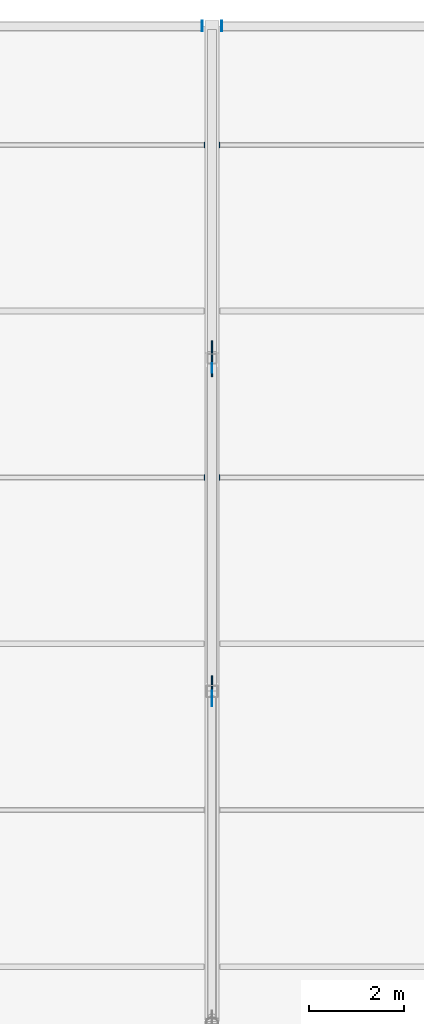
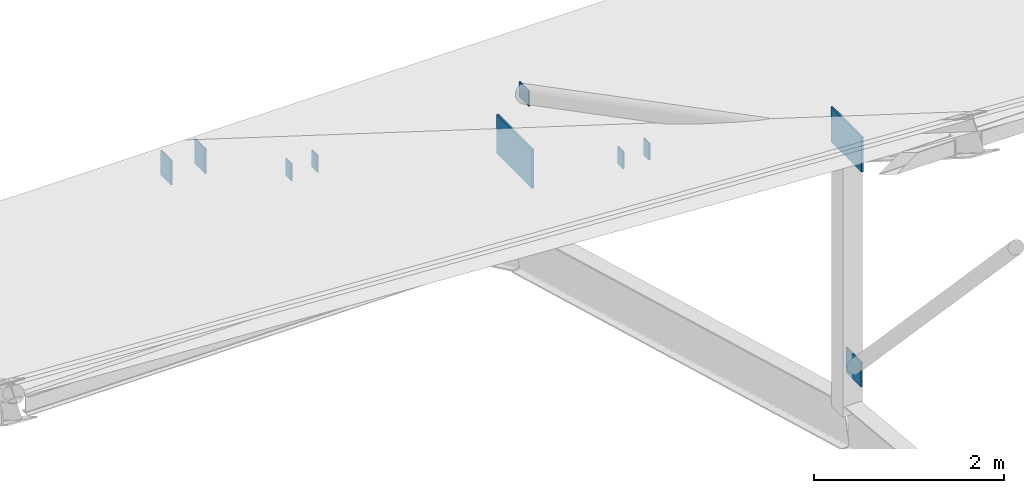
# One storey, part 51 of 66: 10 plates.
"""IFC4 building model written with IfcOpenShell, lengths in metres."""

from ifc_helpers import new_model, si_unit, direction, frame, origin, origin_2d, place, context, subcontext, project, spatial, rectangle, extrude, material, layer, layer_set, type_object, element, save


model = new_model("IFC4")

# Units and contexts
model_context = context("Model", 3, precision=1e-05, world=origin(), true_north=direction((0.0, 1.0)))
body_context = subcontext(model_context, "Body", "Model", "MODEL_VIEW")
ifc_project = project(units=[si_unit("LENGTHUNIT", "METRE"), si_unit("AREAUNIT", "SQUARE_METRE"), si_unit("VOLUMEUNIT", "CUBIC_METRE"), si_unit("PLANEANGLEUNIT", "RADIAN"), si_unit("MASSUNIT", "GRAM", prefix="KILO")], contexts=[model_context])

# Site, building, storey
site_placement = place(None, origin())
site = spatial("IfcSite", under=ifc_project, at=site_placement, CompositionType="ELEMENT")
building_placement = place(site_placement, origin())
building = spatial("IfcBuilding", under=site, at=building_placement, Name="Yeouljin Market Hall", CompositionType="ELEMENT")
storey_placement = place(building_placement, frame((0.0, 0.0, 23.39990234375)))
storey = spatial("IfcBuildingStorey", under=building, at=storey_placement, Name="RF", CompositionType="ELEMENT", Elevation=23.39990234375)

# Plates
ifc_material_1 = material(Name="Steel SM355", Category="steel")
ifc_layer_1 = layer(ifc_material_1, 0.01611328125)
ifc_layer_set_1 = layer_set([ifc_layer_1], Name="Steel SM355")
plate_type_1 = type_object("IfcPlateType", Name="CapPlate_200x200x16", PredefinedType="SHEET", material=ifc_layer_set_1)
plate_1_placement = place(storey_placement, frame((54.60009765625, 70.804931640625, -7.142578125), z_axis=(0.0, 0.0, 1.0), x_axis=(0.0, 1.0, 0.0)))
element("IfcPlate", 1, at=plate_1_placement, inside=storey, type_object=plate_type_1, Name="Hollow web end-cap plate 0012", PredefinedType="SHEET", context=body_context, shape_type="SweptSolid", body=[
    extrude(rectangle(XDim=0.199951171875, YDim=0.01611328125, at=origin_2d()), origin(), (0.0, 0.0, 1.0), 0.199951171875),
])
ifc_material_2 = material(Name="Steel SM355", Category="steel")
ifc_layer_2 = layer(ifc_material_2, 0.01611328125)
ifc_layer_set_2 = layer_set([ifc_layer_2], Name="Steel SM355")
plate_type_2 = type_object("IfcPlateType", Name="CapPlate_220x120x16", PredefinedType="SHEET", material=ifc_layer_set_2)
for number, where, z_axis, x_axis, name in (
    (2, (54.44189453125, 68.5, -6.5185546875), (0.0, 0.0, 1.0), (0.0, 1.0, 0.0), "Purlin end-cap plate 0094"),
    (3, (54.44189453125, 75.5, -10.91845703125), (0.0, 0.0, 1.0), (0.0, 1.0, 0.0), "Purlin end-cap plate 0096"),
    (4, (54.758056640625, 68.5, -6.5185546875), (0.0, 0.0, 1.0), (0.0, 1.0, 0.0), "Purlin end-cap plate 0105"),
    (5, (54.758056640625, 75.5, -10.91845703125), (0.0, 0.0, 1.0), (0.0, 1.0, 0.0), "Purlin end-cap plate 0107"),
):
    element("IfcPlate", number, at=place(storey_placement, frame(where, z_axis=z_axis, x_axis=x_axis)), inside=storey, type_object=plate_type_2, Name=name, PredefinedType="SHEET", context=body_context, shape_type="SweptSolid", body=[
        extrude(rectangle(XDim=0.1201171875, YDim=0.01611328125, at=origin_2d()), origin(), (0.0, 0.0, 1.0), 0.219970703125),
    ])
ifc_material_3 = material(Name="Steel SM355", Category="steel")
ifc_layer_3 = layer(ifc_material_3, 0.01611328125)
ifc_layer_set_3 = layer_set([ifc_layer_3], Name="Steel SM355")
plate_type_3 = type_object("IfcPlateType", Name="CapPlate_320x220x16", PredefinedType="SHEET", material=ifc_layer_set_3)
for number, where, z_axis, x_axis, name in (
    (6, (54.39208984375, 78.0, -12.43994140625), (0.0, 0.0, 1.0), (0.0, 1.0, 0.0), "Eaves girder end-cap plate N02-E"),
    (7, (54.80810546875, 78.0, -12.43994140625), (0.0, 0.0, 1.0), (0.0, 1.0, 0.0), "Eaves girder end-cap plate N03-W"),
):
    element("IfcPlate", number, at=place(storey_placement, frame(where, z_axis=z_axis, x_axis=x_axis)), inside=storey, type_object=plate_type_3, Name=name, PredefinedType="SHEET", context=body_context, shape_type="SweptSolid", body=[
        extrude(rectangle(XDim=0.219970703125, YDim=0.01611328125, at=origin_2d()), origin(), (0.0, 0.0, 1.0), 0.320068359375),
    ])
ifc_material_4 = material(Name="Steel SM355", Category="steel")
ifc_layer_4 = layer(ifc_material_4, 0.02001953125)
ifc_layer_set_4 = layer_set([ifc_layer_4], Name="Steel SM355")
plate_type_4 = type_object("IfcPlateType", Name="CapPlate_320x320x20", PredefinedType="SHEET", material=ifc_layer_set_4)
plate_2_placement = place(storey_placement, frame((54.60009765625, 63.848876953125, -6.5), z_axis=(0.0, 0.0, 1.0), x_axis=(0.0, 1.0, 0.0)))
element("IfcPlate", 8, at=plate_2_placement, inside=storey, type_object=plate_type_4, Name="Hollow web end-cap plate 0011", PredefinedType="SHEET", context=body_context, shape_type="SweptSolid", body=[
    extrude(rectangle(XDim=0.320068359375, YDim=0.02001953125, at=origin_2d()), origin(), (0.0, 0.0, 1.0), 0.320068359375),
])
ifc_material_5 = material(Name="Steel SM355", Category="steel")
ifc_layer_5 = layer(ifc_material_5, 0.02197265625)
ifc_layer_set_5 = layer_set([ifc_layer_5], Name="Steel SM355")
plate_type_5 = type_object("IfcPlateType", Name="GussetPlate_650x450x22", PredefinedType="USERDEFINED", material=ifc_layer_set_5)
plate_3_placement = place(storey_placement, frame((54.60009765625, 64.0, -3.72509765625), z_axis=(0.0, 0.0, 1.0), x_axis=(0.0, 1.0, 0.0)))
element("IfcPlate", 9, at=plate_3_placement, inside=storey, type_object=plate_type_5, Name="Truss node gusset plate 014", ObjectType="GUSSET PLATE", PredefinedType="USERDEFINED", context=body_context, shape_type="SweptSolid", body=[
    extrude(rectangle(XDim=0.64990234375, YDim=0.02197265625, at=origin_2d()), origin(), (0.0, 0.0, 1.0), 0.449951171875),
])
ifc_material_6 = material(Name="Steel SM355", Category="steel")
ifc_layer_6 = layer(ifc_material_6, 0.02392578125)
ifc_layer_set_6 = layer_set([ifc_layer_6], Name="Steel SM355")
plate_type_6 = type_object("IfcPlateType", Name="GussetPlate_750x500x24", PredefinedType="USERDEFINED", material=ifc_layer_set_6)
plate_4_placement = place(storey_placement, frame((54.60009765625, 71.0, -8.14990234375), z_axis=(0.0, 0.0, 1.0), x_axis=(0.0, 1.0, 0.0)))
element("IfcPlate", 10, at=plate_4_placement, inside=storey, type_object=plate_type_6, Name="Truss node gusset plate 015", ObjectType="GUSSET PLATE", PredefinedType="USERDEFINED", context=body_context, shape_type="SweptSolid", body=[
    extrude(rectangle(XDim=0.75, YDim=0.02392578125, at=origin_2d()), origin(), (0.0, 0.0, 1.0), 0.5),
])

save(model, "model.ifc")
